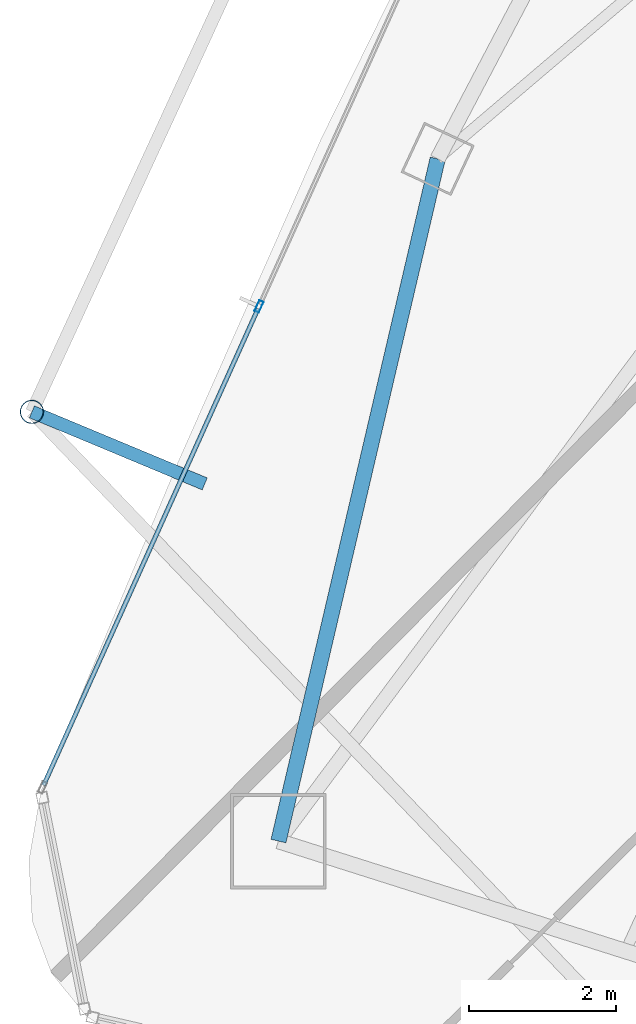
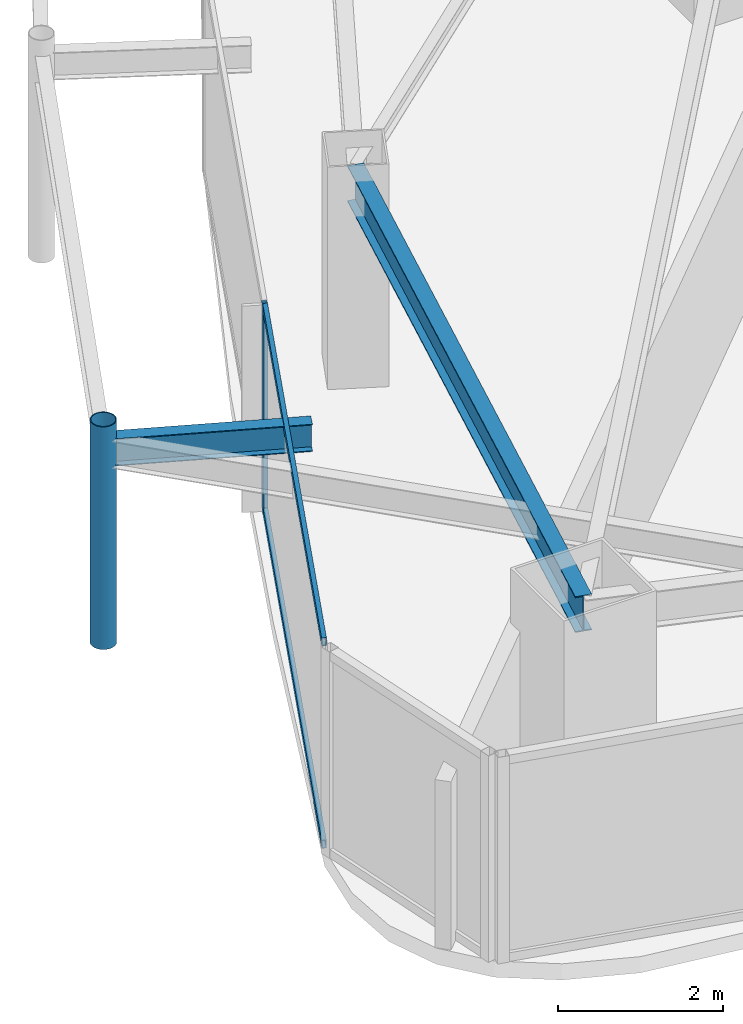
# One storey, part 5 of 29: 4 members, 2 beams, 1 element without a shape of its own.
"""IFC4 building model written with IfcOpenShell, lengths in metres."""

from ifc_helpers import new_model, si_unit, direction, frame, origin, origin_2d, place, context, subcontext, project, spatial, hollow_rectangle, hollow_circle, i_section, extrude, material, layer, layer_set, material_profile, profile_set, type_object, element, aggregate, save


model = new_model("IFC4")

# Units and contexts
model_context = context("Model", 3, precision=1e-05, world=origin(), true_north=direction((0.0, 1.0)))
body_context = subcontext(model_context, "Body", "Model", "MODEL_VIEW")
ifc_project = project(units=[si_unit("LENGTHUNIT", "METRE"), si_unit("AREAUNIT", "SQUARE_METRE"), si_unit("VOLUMEUNIT", "CUBIC_METRE"), si_unit("PLANEANGLEUNIT", "RADIAN"), si_unit("MASSUNIT", "GRAM", prefix="KILO")], contexts=[model_context])

# Site, building, storey
site_placement = place(None, origin())
site = spatial("IfcSite", under=ifc_project, at=site_placement, CompositionType="ELEMENT")
building_placement = place(site_placement, origin())
building = spatial("IfcBuilding", under=site, at=building_placement, Name="Orvanel Arch Residences", CompositionType="ELEMENT")
storey_placement = place(building_placement, frame((0.0, 0.0, 250.25)))
storey = spatial("IfcBuildingStorey", under=building, at=storey_placement, Name="L71", CompositionType="ELEMENT", Elevation=250.25)

# Curtain wall, member
ifc_material_1 = material(Name="Bronze-anodised aluminium AA6063-T6", Category="aluminium")
ifc_layer = layer(ifc_material_1, 0.175048828125)
ifc_layer_set = layer_set([ifc_layer], Name="Bronze-anodised aluminium AA6063-T6")
curtain_wall_type = type_object("IfcCurtainWallType", Name="CW4-HI-SYS", PredefinedType="NOTDEFINED", material=ifc_layer_set)
curtain_wall_placement = place(storey_placement, origin())
curtain_wall = element("IfcCurtainWall", 1, at=curtain_wall_placement, inside=storey, type_object=curtain_wall_type, Name="L71 CW4-HI-SYS Unitised Curtain Wall", PredefinedType="NOTDEFINED")
ifc_material_profile_1 = material_profile(ifc_material_1, hollow_rectangle(XDim=0.06494140625, YDim=0.159912109375, WallThickness=0.00390625, at=origin_2d()), Name="ALU160x65x4")
ifc_profile_set_1 = profile_set([ifc_material_profile_1], Name="Bronze-anodised aluminium AA6063-T6")
member_type_1 = type_object("IfcMemberType", Name="MUL-160x65", PredefinedType="MULLION", material=ifc_profile_set_1)
member_1_placement = place(storey_placement, frame((13.9345703125, 17.632568359375, 0.0), z_axis=(0.0, 0.0, 1.0), x_axis=(0.911907243559, -0.410396368338, 0.0)))
member_1 = element("IfcMember", 2, at=member_1_placement, type_object=member_type_1, Name="CW-S4 mullion 2", PredefinedType="MULLION", context=body_context, shape_type="SweptSolid", body=[
    extrude(hollow_rectangle(XDim=0.06494140625, YDim=0.159912109375, WallThickness=0.00390625, at=origin_2d()), origin(), (0.0, 0.0, 1.0), 3.06005859375),
])

# Beams
ifc_material_2 = material(Name="Structural steel AS/NZS 3679.1 Grade 300 (300 MPa)", Category="steel")
ifc_material_profile_2 = material_profile(ifc_material_2, i_section(OverallWidth=0.177978515625, OverallDepth=0.406005859375, WebThickness=0.0078125, FlangeThickness=0.0126953125, at=origin_2d()), Name="410UB59.7")
ifc_profile_set_2 = profile_set([ifc_material_profile_2], Name="Structural steel AS/NZS 3679.1 Grade 300 (300 MPa)")
beam_type_1 = type_object("IfcBeamType", Name="OB-410UB-EXT", PredefinedType="SPANDREL", material=ifc_profile_set_2)
beam_1_placement = place(storey_placement, frame((13.195068359375, 15.216064453125, 2.85693359375), z_axis=(-0.923059928109, 0.38465617, 0.0), x_axis=(-0.38465617, -0.923059928109, 0.0)))
element("IfcBeam", 3, at=beam_1_placement, inside=storey, type_object=beam_type_1, Name="L71 Outer Frame Radial Tie Beam 04", PredefinedType="SPANDREL", context=body_context, shape_type="SweptSolid", body=[
    extrude(i_section(OverallWidth=0.177978515625, OverallDepth=0.406005859375, WebThickness=0.0078125, FlangeThickness=0.0126953125, at=origin_2d()), origin(), (0.0, 0.0, 1.0), 2.55029296875),
])
ifc_material_profile_3 = material_profile(ifc_material_2, i_section(OverallWidth=0.208984375, OverallDepth=0.532958984375, WebThickness=0.01025390625, FlangeThickness=0.015625, at=origin_2d()), Name="530UB92.4")
ifc_profile_set_3 = profile_set([ifc_material_profile_3], Name="Structural steel AS/NZS 3679.1 Grade 300 (300 MPa)")
beam_type_2 = type_object("IfcBeamType", Name="SP-530UB", PredefinedType="SPANDREL", material=ifc_profile_set_3)
beam_2_placement = place(storey_placement, frame((16.366943359375, 19.64208984375, 2.79296875), z_axis=(-0.227236087167, -0.973839699688, 0.0), x_axis=(0.973839699688, -0.227236087167, 0.0)))
element("IfcBeam", 4, at=beam_2_placement, inside=storey, type_object=beam_type_2, Name="L71 Perimeter Spandrel Beam 01", PredefinedType="SPANDREL", context=body_context, shape_type="SweptSolid", body=[
    extrude(i_section(OverallWidth=0.208984375, OverallDepth=0.532958984375, WebThickness=0.01025390625, FlangeThickness=0.015625, at=origin_2d()), origin(), (0.0, 0.0, 1.0), 9.54052734375),
])

# Member
ifc_material_3 = material(Name="Structural steel AS/NZS 1163 C350L0 (Grade 350)", Category="steel")
ifc_material_profile_4 = material_profile(ifc_material_3, hollow_circle(Radius=0.162109375, WallThickness=0.0126953125, at=origin_2d()), Name="CHS324x12.7")
ifc_profile_set_4 = profile_set([ifc_material_profile_4], Name="Structural steel AS/NZS 1163 C350L0 (Grade 350)")
member_type_2 = type_object("IfcMemberType", Name="ST-324CHS-EXT", PredefinedType="STRUT", material=ifc_profile_set_4)
member_2_placement = place(storey_placement, frame((10.841064453125, 16.197021484375, 0.0), z_axis=(0.0, 0.0, 1.0), x_axis=(1.0, 0.0, 0.0)))
element("IfcMember", 5, at=member_2_placement, inside=storey, type_object=member_type_2, Name="L71 Outer Perimeter Frame Post 04", PredefinedType="STRUT", context=body_context, shape_type="SweptSolid", body=[
    extrude(hollow_circle(Radius=0.162109375, WallThickness=0.0126953125, at=origin_2d()), origin(), (0.0, 0.0, 1.0), 3.300048828125),
])

ifc_material_profile_5 = material_profile(ifc_material_1, hollow_rectangle(XDim=0.06005859375, YDim=0.1201171875, WallThickness=0.00341796875, at=origin_2d()), Name="ALU120x60x3.5")
ifc_profile_set_5 = profile_set([ifc_material_profile_5], Name="Bronze-anodised aluminium AA6063-T6")
member_type_3 = type_object("IfcMemberType", Name="TRN-120x60", PredefinedType="USERDEFINED", material=ifc_profile_set_5)
member_3_placement = place(storey_placement, frame((13.921142578125, 17.602783203125, 0.030029296875), z_axis=(-0.410391772086, -0.91190931205, 0.0), x_axis=(0.91190931205, -0.410391772086, 0.0)))
member_3 = element("IfcMember", 6, at=member_3_placement, type_object=member_type_3, Name="CW-S4 transom 2.1", ObjectType="TRANSOM", PredefinedType="USERDEFINED", context=body_context, shape_type="SweptSolid", body=[
    extrude(hollow_rectangle(XDim=0.06005859375, YDim=0.1201171875, WallThickness=0.00341796875, at=origin_2d()), origin(), (0.0, 0.0, 1.0), 7.11865234375),
])

member_4_placement = place(storey_placement, frame((13.921142578125, 17.602783203125, 3.030029296875), z_axis=(-0.410391772086, -0.91190931205, 0.0), x_axis=(0.91190931205, -0.410391772086, 0.0)))
member_4 = element("IfcMember", 7, at=member_4_placement, type_object=member_type_3, Name="CW-S4 transom 2.2", ObjectType="TRANSOM", PredefinedType="USERDEFINED", context=body_context, shape_type="SweptSolid", body=[
    extrude(hollow_rectangle(XDim=0.06005859375, YDim=0.1201171875, WallThickness=0.00341796875, at=origin_2d()), origin(), (0.0, 0.0, 1.0), 7.11865234375),
])

aggregate(curtain_wall, [member_1, member_3, member_4])

save(model, "model.ifc")
